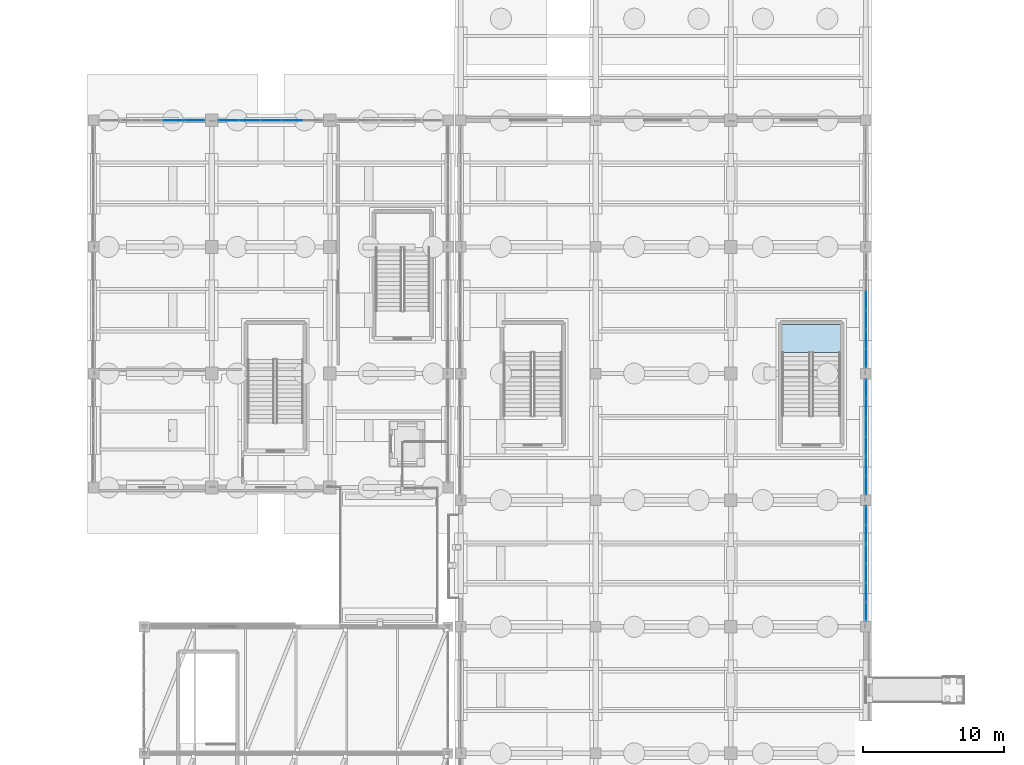
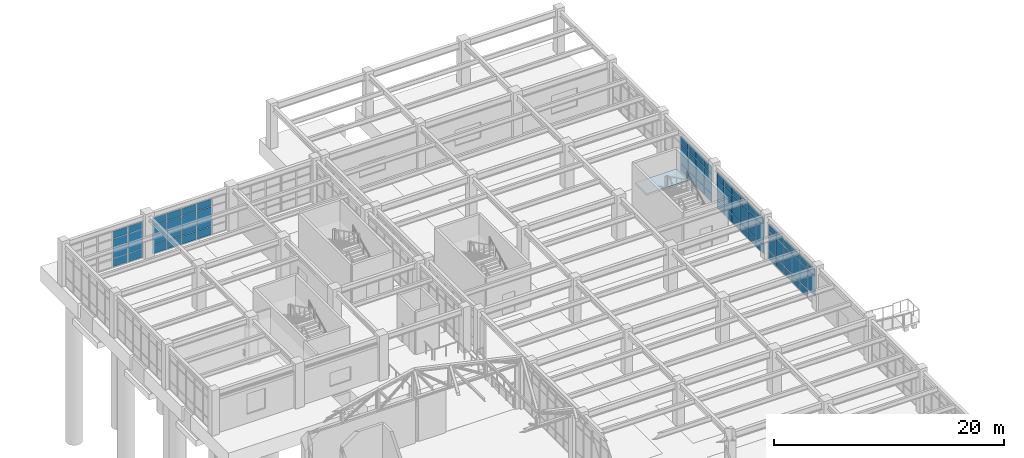
# One storey, part 103 of 139: 65 plates, 1 slab, 6 elements without a shape of their own.
"""IFC4 building model written with IfcOpenShell, lengths in metres."""

from ifc_helpers import new_model, si_unit, direction, frame, origin, origin_2d, place, context, subcontext, project, spatial, polyline, rectangle, outline, extrude, material, layer, layer_set, type_object, element, aggregate, save


model = new_model("IFC4")

# Units and contexts
model_context = context("Model", 3, precision=1e-05, world=origin(), true_north=direction((0.0, 1.0)))
body_context = subcontext(model_context, "Body", "Model", "MODEL_VIEW")
ifc_project = project(units=[si_unit("LENGTHUNIT", "METRE"), si_unit("AREAUNIT", "SQUARE_METRE"), si_unit("VOLUMEUNIT", "CUBIC_METRE"), si_unit("PLANEANGLEUNIT", "RADIAN"), si_unit("MASSUNIT", "GRAM", prefix="KILO")], contexts=[model_context])

# Site, building, storey
site_placement = place(None, origin())
site = spatial("IfcSite", under=ifc_project, at=site_placement, CompositionType="ELEMENT")
building_placement = place(site_placement, origin())
building = spatial("IfcBuilding", under=site, at=building_placement, Name="Canglan Escarpment Cableway Terminal", CompositionType="ELEMENT")
storey_placement = place(building_placement, frame((0.0, 0.0, 14.39990234375)))
storey = spatial("IfcBuildingStorey", under=building, at=storey_placement, Name="L03", CompositionType="ELEMENT", Elevation=14.39990234375)

# Curtain wall, plates
ifc_material_1 = material(Name="Anodized bronze aluminium and Low-E double glazing", Category="aluminium")
curtain_wall_type_1 = type_object("IfcCurtainWallType", Name="CW-BAY-7500x3900", PredefinedType="NOTDEFINED", material=ifc_material_1)
curtain_wall_1_placement = place(storey_placement, origin())
curtain_wall_1 = element("IfcCurtainWall", 1, at=curtain_wall_1_placement, inside=storey, type_object=curtain_wall_type_1, Name="Classical bay-between-piers glazed curtain wall CW-50", PredefinedType="NOTDEFINED")
ifc_material_2 = material(Name="Double-silver Low-E laminated insulating glass", Category="glass")
ifc_layer_1 = layer(ifc_material_2, 0.02392578125, Name="Double-silver Low-E laminated insulating glass")
ifc_layer_set_1 = layer_set([ifc_layer_1], Name="Double-silver Low-E laminated insulating glass")
plate_type_1 = type_object("IfcPlateType", Name="CWP-01", PredefinedType="CURTAIN_PANEL", material=ifc_layer_set_1)
plate_1_placement = place(storey_placement, frame((125.60009765625, 115.0, 0.05517578125), z_axis=(0.0, 0.0, 1.0), x_axis=(-1.0, 0.0, 0.0)))
plate_1 = element("IfcPlate", 2, at=plate_1_placement, type_object=plate_type_1, Name="CW-50 panel 2.1", PredefinedType="CURTAIN_PANEL", context=body_context, shape_type="SweptSolid", body=[
    extrude(rectangle(XDim=1.43994140625, YDim=0.02392578125, at=origin_2d()), origin(), (0.0, 0.0, 1.0), 0.867431640625),
])
plate_2_placement = place(storey_placement, frame((125.60009765625, 115.0, 0.9775390625), z_axis=(0.0, 0.0, 1.0), x_axis=(-1.0, 0.0, 0.0)))
plate_2 = element("IfcPlate", 3, at=plate_2_placement, type_object=plate_type_1, Name="CW-50 panel 2.2", PredefinedType="CURTAIN_PANEL", context=body_context, shape_type="SweptSolid", body=[
    extrude(rectangle(XDim=1.43994140625, YDim=0.02392578125, at=origin_2d()), origin(), (0.0, 0.0, 1.0), 2.035888671875),
])
plate_3_placement = place(storey_placement, frame((125.60009765625, 115.0, 3.068603515625), z_axis=(0.0, 0.0, 1.0), x_axis=(-1.0, 0.0, 0.0)))
plate_3 = element("IfcPlate", 4, at=plate_3_placement, type_object=plate_type_1, Name="CW-50 panel 2.3", PredefinedType="CURTAIN_PANEL", context=body_context, shape_type="SweptSolid", body=[
    extrude(rectangle(XDim=1.43994140625, YDim=0.02392578125, at=origin_2d()), origin(), (0.0, 0.0, 1.0), 0.767578125),
])
plate_4_placement = place(storey_placement, frame((124.10009765625, 115.0, 0.05517578125), z_axis=(0.0, 0.0, 1.0), x_axis=(-1.0, 0.0, 0.0)))
plate_4 = element("IfcPlate", 5, at=plate_4_placement, type_object=plate_type_1, Name="CW-50 panel 3.1", PredefinedType="CURTAIN_PANEL", context=body_context, shape_type="SweptSolid", body=[
    extrude(rectangle(XDim=1.43994140625, YDim=0.02392578125, at=origin_2d()), origin(), (0.0, 0.0, 1.0), 0.867431640625),
])
plate_5_placement = place(storey_placement, frame((124.10009765625, 115.0, 0.9775390625), z_axis=(0.0, 0.0, 1.0), x_axis=(-1.0, 0.0, 0.0)))
plate_5 = element("IfcPlate", 6, at=plate_5_placement, type_object=plate_type_1, Name="CW-50 panel 3.2", PredefinedType="CURTAIN_PANEL", context=body_context, shape_type="SweptSolid", body=[
    extrude(rectangle(XDim=1.43994140625, YDim=0.02392578125, at=origin_2d()), origin(), (0.0, 0.0, 1.0), 2.035888671875),
])
plate_6_placement = place(storey_placement, frame((124.10009765625, 115.0, 3.068603515625), z_axis=(0.0, 0.0, 1.0), x_axis=(-1.0, 0.0, 0.0)))
plate_6 = element("IfcPlate", 7, at=plate_6_placement, type_object=plate_type_1, Name="CW-50 panel 3.3", PredefinedType="CURTAIN_PANEL", context=body_context, shape_type="SweptSolid", body=[
    extrude(rectangle(XDim=1.43994140625, YDim=0.02392578125, at=origin_2d()), origin(), (0.0, 0.0, 1.0), 0.767578125),
])
plate_7_placement = place(storey_placement, frame((122.60009765625, 115.0, 0.05517578125), z_axis=(0.0, 0.0, 1.0), x_axis=(-1.0, 0.0, 0.0)))
plate_7 = element("IfcPlate", 8, at=plate_7_placement, type_object=plate_type_1, Name="CW-50 panel 4.1", PredefinedType="CURTAIN_PANEL", context=body_context, shape_type="SweptSolid", body=[
    extrude(rectangle(XDim=1.43994140625, YDim=0.02392578125, at=origin_2d()), origin(), (0.0, 0.0, 1.0), 0.867431640625),
])
plate_8_placement = place(storey_placement, frame((122.60009765625, 115.0, 0.9775390625), z_axis=(0.0, 0.0, 1.0), x_axis=(-1.0, 0.0, 0.0)))
plate_8 = element("IfcPlate", 9, at=plate_8_placement, type_object=plate_type_1, Name="CW-50 panel 4.2", PredefinedType="CURTAIN_PANEL", context=body_context, shape_type="SweptSolid", body=[
    extrude(rectangle(XDim=1.43994140625, YDim=0.02392578125, at=origin_2d()), origin(), (0.0, 0.0, 1.0), 2.035888671875),
])
plate_9_placement = place(storey_placement, frame((122.60009765625, 115.0, 3.068603515625), z_axis=(0.0, 0.0, 1.0), x_axis=(-1.0, 0.0, 0.0)))
plate_9 = element("IfcPlate", 10, at=plate_9_placement, type_object=plate_type_1, Name="CW-50 panel 4.3", PredefinedType="CURTAIN_PANEL", context=body_context, shape_type="SweptSolid", body=[
    extrude(rectangle(XDim=1.43994140625, YDim=0.02392578125, at=origin_2d()), origin(), (0.0, 0.0, 1.0), 0.767578125),
])
plate_10_placement = place(storey_placement, frame((121.114990234375, 115.0, 0.05517578125), z_axis=(0.0, 0.0, 1.0), x_axis=(-1.0, 0.0, 0.0)))
plate_10 = element("IfcPlate", 11, at=plate_10_placement, type_object=plate_type_1, Name="CW-50 panel 5.1", PredefinedType="CURTAIN_PANEL", context=body_context, shape_type="SweptSolid", body=[
    extrude(rectangle(XDim=1.409912109375, YDim=0.02392578125, at=origin_2d()), origin(), (0.0, 0.0, 1.0), 0.867431640625),
])
plate_11_placement = place(storey_placement, frame((121.114990234375, 115.0, 0.9775390625), z_axis=(0.0, 0.0, 1.0), x_axis=(-1.0, 0.0, 0.0)))
plate_11 = element("IfcPlate", 12, at=plate_11_placement, type_object=plate_type_1, Name="CW-50 panel 5.2", PredefinedType="CURTAIN_PANEL", context=body_context, shape_type="SweptSolid", body=[
    extrude(rectangle(XDim=1.409912109375, YDim=0.02392578125, at=origin_2d()), origin(), (0.0, 0.0, 1.0), 2.035888671875),
])
plate_12_placement = place(storey_placement, frame((121.114990234375, 115.0, 3.068603515625), z_axis=(0.0, 0.0, 1.0), x_axis=(-1.0, 0.0, 0.0)))
plate_12 = element("IfcPlate", 13, at=plate_12_placement, type_object=plate_type_1, Name="CW-50 panel 5.3", PredefinedType="CURTAIN_PANEL", context=body_context, shape_type="SweptSolid", body=[
    extrude(rectangle(XDim=1.409912109375, YDim=0.02392578125, at=origin_2d()), origin(), (0.0, 0.0, 1.0), 0.767578125),
])
aggregate(curtain_wall_1, [plate_1, plate_2, plate_3, plate_4, plate_5, plate_6, plate_7, plate_8, plate_9, plate_10, plate_11, plate_12])

curtain_wall_type_2 = type_object("IfcCurtainWallType", Name="CW-BAY-8250x3900", PredefinedType="NOTDEFINED", material=ifc_material_1)
curtain_wall_2_placement = place(storey_placement, origin())
curtain_wall_2 = element("IfcCurtainWall", 14, at=curtain_wall_2_placement, inside=storey, type_object=curtain_wall_type_2, Name="Classical bay-between-piers glazed curtain wall CW-62", PredefinedType="NOTDEFINED")
ifc_layer_2 = layer(ifc_material_2, 0.028076171875, Name="Double-silver Low-E laminated insulating glass")
ifc_layer_set_2 = layer_set([ifc_layer_2], Name="Double-silver Low-E laminated insulating glass")
plate_type_2 = type_object("IfcPlateType", Name="CWP-02", PredefinedType="CURTAIN_PANEL", material=ifc_layer_set_2)
plate_13_placement = place(storey_placement, frame((166.39990234375, 80.078857421875, 0.982666015625), z_axis=(0.0, 0.0, 1.0), x_axis=(0.0, 1.0, 0.0)))
plate_13 = element("IfcPlate", 15, at=plate_13_placement, type_object=plate_type_2, Name="CW-62 panel 1.2", PredefinedType="CURTAIN_PANEL", context=body_context, shape_type="SweptSolid", body=[
    extrude(rectangle(XDim=1.277587890625, YDim=0.028076171875, at=origin_2d()), origin(), (0.0, 0.0, 1.0), 2.02587890625),
])
plate_14_placement = place(storey_placement, frame((166.39990234375, 80.078857421875, 3.07373046875), z_axis=(0.0, 0.0, 1.0), x_axis=(0.0, 1.0, 0.0)))
plate_14 = element("IfcPlate", 16, at=plate_14_placement, type_object=plate_type_2, Name="CW-62 panel 1.3", PredefinedType="CURTAIN_PANEL", context=body_context, shape_type="SweptSolid", body=[
    extrude(rectangle(XDim=1.277587890625, YDim=0.028076171875, at=origin_2d()), origin(), (0.0, 0.0, 1.0), 0.75244140625),
])
plate_15_placement = place(storey_placement, frame((166.39990234375, 81.4375, 0.065185546875), z_axis=(0.0, 0.0, 1.0), x_axis=(0.0, 1.0, 0.0)))
plate_15 = element("IfcPlate", 17, at=plate_15_placement, type_object=plate_type_2, Name="CW-62 panel 2.1", PredefinedType="CURTAIN_PANEL", context=body_context, shape_type="SweptSolid", body=[
    extrude(rectangle(XDim=1.31005859375, YDim=0.028076171875, at=origin_2d()), origin(), (0.0, 0.0, 1.0), 0.8525390625),
])
plate_16_placement = place(storey_placement, frame((166.39990234375, 81.4375, 0.982666015625), z_axis=(0.0, 0.0, 1.0), x_axis=(0.0, 1.0, 0.0)))
plate_16 = element("IfcPlate", 18, at=plate_16_placement, type_object=plate_type_2, Name="CW-62 panel 2.2", PredefinedType="CURTAIN_PANEL", context=body_context, shape_type="SweptSolid", body=[
    extrude(rectangle(XDim=1.31005859375, YDim=0.028076171875, at=origin_2d()), origin(), (0.0, 0.0, 1.0), 2.02587890625),
])
plate_17_placement = place(storey_placement, frame((166.39990234375, 81.4375, 3.07373046875), z_axis=(0.0, 0.0, 1.0), x_axis=(0.0, 1.0, 0.0)))
plate_17 = element("IfcPlate", 19, at=plate_17_placement, type_object=plate_type_2, Name="CW-62 panel 2.3", PredefinedType="CURTAIN_PANEL", context=body_context, shape_type="SweptSolid", body=[
    extrude(rectangle(XDim=1.31005859375, YDim=0.028076171875, at=origin_2d()), origin(), (0.0, 0.0, 1.0), 0.75244140625),
])
plate_18_placement = place(storey_placement, frame((166.39990234375, 82.8125, 0.065185546875), z_axis=(0.0, 0.0, 1.0), x_axis=(0.0, 1.0, 0.0)))
plate_18 = element("IfcPlate", 20, at=plate_18_placement, type_object=plate_type_2, Name="CW-62 panel 3.1", PredefinedType="CURTAIN_PANEL", context=body_context, shape_type="SweptSolid", body=[
    extrude(rectangle(XDim=1.31005859375, YDim=0.028076171875, at=origin_2d()), origin(), (0.0, 0.0, 1.0), 0.8525390625),
])
plate_19_placement = place(storey_placement, frame((166.39990234375, 82.8125, 0.982666015625), z_axis=(0.0, 0.0, 1.0), x_axis=(0.0, 1.0, 0.0)))
plate_19 = element("IfcPlate", 21, at=plate_19_placement, type_object=plate_type_2, Name="CW-62 panel 3.2", PredefinedType="CURTAIN_PANEL", context=body_context, shape_type="SweptSolid", body=[
    extrude(rectangle(XDim=1.31005859375, YDim=0.028076171875, at=origin_2d()), origin(), (0.0, 0.0, 1.0), 2.02587890625),
])
plate_20_placement = place(storey_placement, frame((166.39990234375, 82.8125, 3.07373046875), z_axis=(0.0, 0.0, 1.0), x_axis=(0.0, 1.0, 0.0)))
plate_20 = element("IfcPlate", 22, at=plate_20_placement, type_object=plate_type_2, Name="CW-62 panel 3.3", PredefinedType="CURTAIN_PANEL", context=body_context, shape_type="SweptSolid", body=[
    extrude(rectangle(XDim=1.31005859375, YDim=0.028076171875, at=origin_2d()), origin(), (0.0, 0.0, 1.0), 0.75244140625),
])
plate_21_placement = place(storey_placement, frame((166.39990234375, 84.1875, 0.065185546875), z_axis=(0.0, 0.0, 1.0), x_axis=(0.0, 1.0, 0.0)))
plate_21 = element("IfcPlate", 23, at=plate_21_placement, type_object=plate_type_2, Name="CW-62 panel 4.1", PredefinedType="CURTAIN_PANEL", context=body_context, shape_type="SweptSolid", body=[
    extrude(rectangle(XDim=1.31005859375, YDim=0.028076171875, at=origin_2d()), origin(), (0.0, 0.0, 1.0), 0.8525390625),
])
plate_22_placement = place(storey_placement, frame((166.39990234375, 84.1875, 0.982666015625), z_axis=(0.0, 0.0, 1.0), x_axis=(0.0, 1.0, 0.0)))
plate_22 = element("IfcPlate", 24, at=plate_22_placement, type_object=plate_type_2, Name="CW-62 panel 4.2", PredefinedType="CURTAIN_PANEL", context=body_context, shape_type="SweptSolid", body=[
    extrude(rectangle(XDim=1.31005859375, YDim=0.028076171875, at=origin_2d()), origin(), (0.0, 0.0, 1.0), 2.02587890625),
])
plate_23_placement = place(storey_placement, frame((166.39990234375, 84.1875, 3.07373046875), z_axis=(0.0, 0.0, 1.0), x_axis=(0.0, 1.0, 0.0)))
plate_23 = element("IfcPlate", 25, at=plate_23_placement, type_object=plate_type_2, Name="CW-62 panel 4.3", PredefinedType="CURTAIN_PANEL", context=body_context, shape_type="SweptSolid", body=[
    extrude(rectangle(XDim=1.31005859375, YDim=0.028076171875, at=origin_2d()), origin(), (0.0, 0.0, 1.0), 0.75244140625),
])
plate_24_placement = place(storey_placement, frame((166.39990234375, 85.5625, 0.065185546875), z_axis=(0.0, 0.0, 1.0), x_axis=(0.0, 1.0, 0.0)))
plate_24 = element("IfcPlate", 26, at=plate_24_placement, type_object=plate_type_2, Name="CW-62 panel 5.1", PredefinedType="CURTAIN_PANEL", context=body_context, shape_type="SweptSolid", body=[
    extrude(rectangle(XDim=1.31005859375, YDim=0.028076171875, at=origin_2d()), origin(), (0.0, 0.0, 1.0), 0.8525390625),
])
plate_25_placement = place(storey_placement, frame((166.39990234375, 85.5625, 0.982666015625), z_axis=(0.0, 0.0, 1.0), x_axis=(0.0, 1.0, 0.0)))
plate_25 = element("IfcPlate", 27, at=plate_25_placement, type_object=plate_type_2, Name="CW-62 panel 5.2", PredefinedType="CURTAIN_PANEL", context=body_context, shape_type="SweptSolid", body=[
    extrude(rectangle(XDim=1.31005859375, YDim=0.028076171875, at=origin_2d()), origin(), (0.0, 0.0, 1.0), 2.02587890625),
])
plate_26_placement = place(storey_placement, frame((166.39990234375, 85.5625, 3.07373046875), z_axis=(0.0, 0.0, 1.0), x_axis=(0.0, 1.0, 0.0)))
plate_26 = element("IfcPlate", 28, at=plate_26_placement, type_object=plate_type_2, Name="CW-62 panel 5.3", PredefinedType="CURTAIN_PANEL", context=body_context, shape_type="SweptSolid", body=[
    extrude(rectangle(XDim=1.31005859375, YDim=0.028076171875, at=origin_2d()), origin(), (0.0, 0.0, 1.0), 0.75244140625),
])
plate_27_placement = place(storey_placement, frame((166.39990234375, 86.921142578125, 0.065185546875), z_axis=(0.0, 0.0, 1.0), x_axis=(0.0, 1.0, 0.0)))
plate_27 = element("IfcPlate", 29, at=plate_27_placement, type_object=plate_type_2, Name="CW-62 panel 6.1", PredefinedType="CURTAIN_PANEL", context=body_context, shape_type="SweptSolid", body=[
    extrude(rectangle(XDim=1.277587890625, YDim=0.028076171875, at=origin_2d()), origin(), (0.0, 0.0, 1.0), 0.8525390625),
])
plate_28_placement = place(storey_placement, frame((166.39990234375, 86.921142578125, 0.982666015625), z_axis=(0.0, 0.0, 1.0), x_axis=(0.0, 1.0, 0.0)))
plate_28 = element("IfcPlate", 30, at=plate_28_placement, type_object=plate_type_2, Name="CW-62 panel 6.2", PredefinedType="CURTAIN_PANEL", context=body_context, shape_type="SweptSolid", body=[
    extrude(rectangle(XDim=1.277587890625, YDim=0.028076171875, at=origin_2d()), origin(), (0.0, 0.0, 1.0), 2.02587890625),
])
plate_29_placement = place(storey_placement, frame((166.39990234375, 86.921142578125, 3.07373046875), z_axis=(0.0, 0.0, 1.0), x_axis=(0.0, 1.0, 0.0)))
plate_29 = element("IfcPlate", 31, at=plate_29_placement, type_object=plate_type_2, Name="CW-62 panel 6.3", PredefinedType="CURTAIN_PANEL", context=body_context, shape_type="SweptSolid", body=[
    extrude(rectangle(XDim=1.277587890625, YDim=0.028076171875, at=origin_2d()), origin(), (0.0, 0.0, 1.0), 0.75244140625),
])
aggregate(curtain_wall_2, [plate_13, plate_14, plate_15, plate_16, plate_17, plate_18, plate_19, plate_20, plate_21, plate_22, plate_23, plate_24, plate_25, plate_26, plate_27, plate_28, plate_29])

curtain_wall_3_placement = place(storey_placement, origin())
curtain_wall_3 = element("IfcCurtainWall", 32, at=curtain_wall_3_placement, inside=storey, type_object=curtain_wall_type_2, Name="Classical bay-between-piers glazed curtain wall CW-62", PredefinedType="NOTDEFINED")
ifc_layer_3 = layer(ifc_material_2, 0.031982421875, Name="Double-silver Low-E laminated insulating glass")
ifc_layer_set_3 = layer_set([ifc_layer_3], Name="Double-silver Low-E laminated insulating glass")
plate_type_3 = type_object("IfcPlateType", Name="CWP-03", PredefinedType="CURTAIN_PANEL", material=ifc_layer_set_3)
plate_30_placement = place(storey_placement, frame((166.39990234375, 89.077392578125, 0.05517578125), z_axis=(0.0, 0.0, 1.0), x_axis=(0.0, 1.0, 0.0)))
plate_30 = element("IfcPlate", 33, at=plate_30_placement, type_object=plate_type_3, Name="CW-62 panel 1.1", PredefinedType="CURTAIN_PANEL", context=body_context, shape_type="SweptSolid", body=[
    extrude(rectangle(XDim=1.284912109375, YDim=0.031982421875, at=origin_2d()), origin(), (0.0, 0.0, 1.0), 0.867431640625),
])
plate_31_placement = place(storey_placement, frame((166.39990234375, 89.077392578125, 0.9775390625), z_axis=(0.0, 0.0, 1.0), x_axis=(0.0, 1.0, 0.0)))
plate_31 = element("IfcPlate", 34, at=plate_31_placement, type_object=plate_type_3, Name="CW-62 panel 1.2", PredefinedType="CURTAIN_PANEL", context=body_context, shape_type="SweptSolid", body=[
    extrude(rectangle(XDim=1.284912109375, YDim=0.031982421875, at=origin_2d()), origin(), (0.0, 0.0, 1.0), 2.035888671875),
])
plate_32_placement = place(storey_placement, frame((166.39990234375, 89.077392578125, 3.068603515625), z_axis=(0.0, 0.0, 1.0), x_axis=(0.0, 1.0, 0.0)))
plate_32 = element("IfcPlate", 35, at=plate_32_placement, type_object=plate_type_3, Name="CW-62 panel 1.3", PredefinedType="CURTAIN_PANEL", context=body_context, shape_type="SweptSolid", body=[
    extrude(rectangle(XDim=1.284912109375, YDim=0.031982421875, at=origin_2d()), origin(), (0.0, 0.0, 1.0), 0.767578125),
])
plate_33_placement = place(storey_placement, frame((166.39990234375, 90.4375, 0.05517578125), z_axis=(0.0, 0.0, 1.0), x_axis=(0.0, 1.0, 0.0)))
plate_33 = element("IfcPlate", 36, at=plate_33_placement, type_object=plate_type_3, Name="CW-62 panel 2.1", PredefinedType="CURTAIN_PANEL", context=body_context, shape_type="SweptSolid", body=[
    extrude(rectangle(XDim=1.31494140625, YDim=0.031982421875, at=origin_2d()), origin(), (0.0, 0.0, 1.0), 0.867431640625),
])
plate_34_placement = place(storey_placement, frame((166.39990234375, 90.4375, 0.9775390625), z_axis=(0.0, 0.0, 1.0), x_axis=(0.0, 1.0, 0.0)))
plate_34 = element("IfcPlate", 37, at=plate_34_placement, type_object=plate_type_3, Name="CW-62 panel 2.2", PredefinedType="CURTAIN_PANEL", context=body_context, shape_type="SweptSolid", body=[
    extrude(rectangle(XDim=1.31494140625, YDim=0.031982421875, at=origin_2d()), origin(), (0.0, 0.0, 1.0), 2.035888671875),
])
plate_35_placement = place(storey_placement, frame((166.39990234375, 90.4375, 3.068603515625), z_axis=(0.0, 0.0, 1.0), x_axis=(0.0, 1.0, 0.0)))
plate_35 = element("IfcPlate", 38, at=plate_35_placement, type_object=plate_type_3, Name="CW-62 panel 2.3", PredefinedType="CURTAIN_PANEL", context=body_context, shape_type="SweptSolid", body=[
    extrude(rectangle(XDim=1.31494140625, YDim=0.031982421875, at=origin_2d()), origin(), (0.0, 0.0, 1.0), 0.767578125),
])
plate_36_placement = place(storey_placement, frame((166.39990234375, 91.8125, 0.05517578125), z_axis=(0.0, 0.0, 1.0), x_axis=(0.0, 1.0, 0.0)))
plate_36 = element("IfcPlate", 39, at=plate_36_placement, type_object=plate_type_3, Name="CW-62 panel 3.1", PredefinedType="CURTAIN_PANEL", context=body_context, shape_type="SweptSolid", body=[
    extrude(rectangle(XDim=1.31494140625, YDim=0.031982421875, at=origin_2d()), origin(), (0.0, 0.0, 1.0), 0.867431640625),
])
plate_37_placement = place(storey_placement, frame((166.39990234375, 91.8125, 0.9775390625), z_axis=(0.0, 0.0, 1.0), x_axis=(0.0, 1.0, 0.0)))
plate_37 = element("IfcPlate", 40, at=plate_37_placement, type_object=plate_type_3, Name="CW-62 panel 3.2", PredefinedType="CURTAIN_PANEL", context=body_context, shape_type="SweptSolid", body=[
    extrude(rectangle(XDim=1.31494140625, YDim=0.031982421875, at=origin_2d()), origin(), (0.0, 0.0, 1.0), 2.035888671875),
])
plate_38_placement = place(storey_placement, frame((166.39990234375, 91.8125, 3.068603515625), z_axis=(0.0, 0.0, 1.0), x_axis=(0.0, 1.0, 0.0)))
plate_38 = element("IfcPlate", 41, at=plate_38_placement, type_object=plate_type_3, Name="CW-62 panel 3.3", PredefinedType="CURTAIN_PANEL", context=body_context, shape_type="SweptSolid", body=[
    extrude(rectangle(XDim=1.31494140625, YDim=0.031982421875, at=origin_2d()), origin(), (0.0, 0.0, 1.0), 0.767578125),
])
plate_39_placement = place(storey_placement, frame((166.39990234375, 93.1875, 0.05517578125), z_axis=(0.0, 0.0, 1.0), x_axis=(0.0, 1.0, 0.0)))
plate_39 = element("IfcPlate", 42, at=plate_39_placement, type_object=plate_type_3, Name="CW-62 panel 4.1", PredefinedType="CURTAIN_PANEL", context=body_context, shape_type="SweptSolid", body=[
    extrude(rectangle(XDim=1.31494140625, YDim=0.031982421875, at=origin_2d()), origin(), (0.0, 0.0, 1.0), 0.867431640625),
])
plate_40_placement = place(storey_placement, frame((166.39990234375, 93.1875, 0.9775390625), z_axis=(0.0, 0.0, 1.0), x_axis=(0.0, 1.0, 0.0)))
plate_40 = element("IfcPlate", 43, at=plate_40_placement, type_object=plate_type_3, Name="CW-62 panel 4.2", PredefinedType="CURTAIN_PANEL", context=body_context, shape_type="SweptSolid", body=[
    extrude(rectangle(XDim=1.31494140625, YDim=0.031982421875, at=origin_2d()), origin(), (0.0, 0.0, 1.0), 2.035888671875),
])
plate_41_placement = place(storey_placement, frame((166.39990234375, 93.1875, 3.068603515625), z_axis=(0.0, 0.0, 1.0), x_axis=(0.0, 1.0, 0.0)))
plate_41 = element("IfcPlate", 44, at=plate_41_placement, type_object=plate_type_3, Name="CW-62 panel 4.3", PredefinedType="CURTAIN_PANEL", context=body_context, shape_type="SweptSolid", body=[
    extrude(rectangle(XDim=1.31494140625, YDim=0.031982421875, at=origin_2d()), origin(), (0.0, 0.0, 1.0), 0.767578125),
])
plate_42_placement = place(storey_placement, frame((166.39990234375, 94.5625, 0.05517578125), z_axis=(0.0, 0.0, 1.0), x_axis=(0.0, 1.0, 0.0)))
plate_42 = element("IfcPlate", 45, at=plate_42_placement, type_object=plate_type_3, Name="CW-62 panel 5.1", PredefinedType="CURTAIN_PANEL", context=body_context, shape_type="SweptSolid", body=[
    extrude(rectangle(XDim=1.31494140625, YDim=0.031982421875, at=origin_2d()), origin(), (0.0, 0.0, 1.0), 0.867431640625),
])
plate_43_placement = place(storey_placement, frame((166.39990234375, 94.5625, 0.9775390625), z_axis=(0.0, 0.0, 1.0), x_axis=(0.0, 1.0, 0.0)))
plate_43 = element("IfcPlate", 46, at=plate_43_placement, type_object=plate_type_3, Name="CW-62 panel 5.2", PredefinedType="CURTAIN_PANEL", context=body_context, shape_type="SweptSolid", body=[
    extrude(rectangle(XDim=1.31494140625, YDim=0.031982421875, at=origin_2d()), origin(), (0.0, 0.0, 1.0), 2.035888671875),
])
plate_44_placement = place(storey_placement, frame((166.39990234375, 94.5625, 3.068603515625), z_axis=(0.0, 0.0, 1.0), x_axis=(0.0, 1.0, 0.0)))
plate_44 = element("IfcPlate", 47, at=plate_44_placement, type_object=plate_type_3, Name="CW-62 panel 5.3", PredefinedType="CURTAIN_PANEL", context=body_context, shape_type="SweptSolid", body=[
    extrude(rectangle(XDim=1.31494140625, YDim=0.031982421875, at=origin_2d()), origin(), (0.0, 0.0, 1.0), 0.767578125),
])
plate_45_placement = place(storey_placement, frame((166.39990234375, 95.922607421875, 0.05517578125), z_axis=(0.0, 0.0, 1.0), x_axis=(0.0, 1.0, 0.0)))
plate_45 = element("IfcPlate", 48, at=plate_45_placement, type_object=plate_type_3, Name="CW-62 panel 6.1", PredefinedType="CURTAIN_PANEL", context=body_context, shape_type="SweptSolid", body=[
    extrude(rectangle(XDim=1.284912109375, YDim=0.031982421875, at=origin_2d()), origin(), (0.0, 0.0, 1.0), 0.867431640625),
])
plate_46_placement = place(storey_placement, frame((166.39990234375, 95.922607421875, 0.9775390625), z_axis=(0.0, 0.0, 1.0), x_axis=(0.0, 1.0, 0.0)))
plate_46 = element("IfcPlate", 49, at=plate_46_placement, type_object=plate_type_3, Name="CW-62 panel 6.2", PredefinedType="CURTAIN_PANEL", context=body_context, shape_type="SweptSolid", body=[
    extrude(rectangle(XDim=1.284912109375, YDim=0.031982421875, at=origin_2d()), origin(), (0.0, 0.0, 1.0), 2.035888671875),
])
plate_47_placement = place(storey_placement, frame((166.39990234375, 95.922607421875, 3.068603515625), z_axis=(0.0, 0.0, 1.0), x_axis=(0.0, 1.0, 0.0)))
plate_47 = element("IfcPlate", 50, at=plate_47_placement, type_object=plate_type_3, Name="CW-62 panel 6.3", PredefinedType="CURTAIN_PANEL", context=body_context, shape_type="SweptSolid", body=[
    extrude(rectangle(XDim=1.284912109375, YDim=0.031982421875, at=origin_2d()), origin(), (0.0, 0.0, 1.0), 0.767578125),
])
aggregate(curtain_wall_3, [plate_30, plate_31, plate_32, plate_33, plate_34, plate_35, plate_36, plate_37, plate_38, plate_39, plate_40, plate_41, plate_42, plate_43, plate_44, plate_45, plate_46, plate_47])

curtain_wall_type_3 = type_object("IfcCurtainWallType", Name="CW-BAY-7575x3900", PredefinedType="NOTDEFINED", material=ifc_material_1)
curtain_wall_4_placement = place(storey_placement, origin())
curtain_wall_4 = element("IfcCurtainWall", 51, at=curtain_wall_4_placement, inside=storey, type_object=curtain_wall_type_3, Name="Classical bay-between-piers glazed curtain wall CW-49", PredefinedType="NOTDEFINED")
ifc_layer_4 = layer(ifc_material_2, 0.035888671875, Name="Double-silver Low-E laminated insulating glass")
ifc_layer_set_4 = layer_set([ifc_layer_4], Name="Double-silver Low-E laminated insulating glass")
plate_type_4 = type_object("IfcPlateType", Name="CWP-04", PredefinedType="CURTAIN_PANEL", material=ifc_layer_set_4)
plate_48_placement = place(storey_placement, frame((118.67626953125, 115.0, 0.065185546875), z_axis=(0.0, 0.0, 1.0), x_axis=(-1.0, 0.0, 0.0)))
plate_48 = element("IfcPlate", 52, at=plate_48_placement, type_object=plate_type_4, Name="CW-49 panel 1.1", PredefinedType="CURTAIN_PANEL", context=body_context, shape_type="SweptSolid", body=[
    extrude(rectangle(XDim=1.41748046875, YDim=0.035888671875, at=origin_2d()), origin(), (0.0, 0.0, 1.0), 0.8525390625),
])
plate_49_placement = place(storey_placement, frame((118.67626953125, 115.0, 0.982666015625), z_axis=(0.0, 0.0, 1.0), x_axis=(-1.0, 0.0, 0.0)))
plate_49 = element("IfcPlate", 53, at=plate_49_placement, type_object=plate_type_4, Name="CW-49 panel 1.2", PredefinedType="CURTAIN_PANEL", context=body_context, shape_type="SweptSolid", body=[
    extrude(rectangle(XDim=1.41748046875, YDim=0.035888671875, at=origin_2d()), origin(), (0.0, 0.0, 1.0), 2.02587890625),
])
plate_50_placement = place(storey_placement, frame((118.67626953125, 115.0, 3.07373046875), z_axis=(0.0, 0.0, 1.0), x_axis=(-1.0, 0.0, 0.0)))
plate_50 = element("IfcPlate", 54, at=plate_50_placement, type_object=plate_type_4, Name="CW-49 panel 1.3", PredefinedType="CURTAIN_PANEL", context=body_context, shape_type="SweptSolid", body=[
    extrude(rectangle(XDim=1.41748046875, YDim=0.035888671875, at=origin_2d()), origin(), (0.0, 0.0, 1.0), 0.75244140625),
])
plate_51_placement = place(storey_placement, frame((117.177490234375, 115.0, 0.065185546875), z_axis=(0.0, 0.0, 1.0), x_axis=(-1.0, 0.0, 0.0)))
plate_51 = element("IfcPlate", 55, at=plate_51_placement, type_object=plate_type_4, Name="CW-49 panel 2.1", PredefinedType="CURTAIN_PANEL", context=body_context, shape_type="SweptSolid", body=[
    extrude(rectangle(XDim=1.449951171875, YDim=0.035888671875, at=origin_2d()), origin(), (0.0, 0.0, 1.0), 0.8525390625),
])
plate_52_placement = place(storey_placement, frame((117.177490234375, 115.0, 0.982666015625), z_axis=(0.0, 0.0, 1.0), x_axis=(-1.0, 0.0, 0.0)))
plate_52 = element("IfcPlate", 56, at=plate_52_placement, type_object=plate_type_4, Name="CW-49 panel 2.2", PredefinedType="CURTAIN_PANEL", context=body_context, shape_type="SweptSolid", body=[
    extrude(rectangle(XDim=1.449951171875, YDim=0.035888671875, at=origin_2d()), origin(), (0.0, 0.0, 1.0), 2.02587890625),
])
plate_53_placement = place(storey_placement, frame((117.177490234375, 115.0, 3.07373046875), z_axis=(0.0, 0.0, 1.0), x_axis=(-1.0, 0.0, 0.0)))
plate_53 = element("IfcPlate", 57, at=plate_53_placement, type_object=plate_type_4, Name="CW-49 panel 2.3", PredefinedType="CURTAIN_PANEL", context=body_context, shape_type="SweptSolid", body=[
    extrude(rectangle(XDim=1.449951171875, YDim=0.035888671875, at=origin_2d()), origin(), (0.0, 0.0, 1.0), 0.75244140625),
])
aggregate(curtain_wall_4, [plate_48, plate_49, plate_50, plate_51, plate_52, plate_53])

curtain_wall_5_placement = place(storey_placement, origin())
curtain_wall_5 = element("IfcCurtainWall", 58, at=curtain_wall_5_placement, inside=storey, type_object=curtain_wall_type_2, Name="Classical bay-between-piers glazed curtain wall CW-62", PredefinedType="NOTDEFINED")
plate_54_placement = place(storey_placement, frame((166.39990234375, 98.078857421875, 0.06005859375), z_axis=(0.0, 0.0, 1.0), x_axis=(0.0, 1.0, 0.0)))
plate_54 = element("IfcPlate", 59, at=plate_54_placement, type_object=plate_type_4, Name="CW-62 panel 1.1", PredefinedType="CURTAIN_PANEL", context=body_context, shape_type="SweptSolid", body=[
    extrude(rectangle(XDim=1.277587890625, YDim=0.035888671875, at=origin_2d()), origin(), (0.0, 0.0, 1.0), 0.860107421875),
])
plate_55_placement = place(storey_placement, frame((166.39990234375, 98.078857421875, 0.97998046875), z_axis=(0.0, 0.0, 1.0), x_axis=(0.0, 1.0, 0.0)))
plate_55 = element("IfcPlate", 60, at=plate_55_placement, type_object=plate_type_4, Name="CW-62 panel 1.2", PredefinedType="CURTAIN_PANEL", context=body_context, shape_type="SweptSolid", body=[
    extrude(rectangle(XDim=1.277587890625, YDim=0.035888671875, at=origin_2d()), origin(), (0.0, 0.0, 1.0), 2.031005859375),
])
plate_56_placement = place(storey_placement, frame((166.39990234375, 98.078857421875, 3.0712890625), z_axis=(0.0, 0.0, 1.0), x_axis=(0.0, 1.0, 0.0)))
plate_56 = element("IfcPlate", 61, at=plate_56_placement, type_object=plate_type_4, Name="CW-62 panel 1.3", PredefinedType="CURTAIN_PANEL", context=body_context, shape_type="SweptSolid", body=[
    extrude(rectangle(XDim=1.277587890625, YDim=0.035888671875, at=origin_2d()), origin(), (0.0, 0.0, 1.0), 0.760009765625),
])
plate_57_placement = place(storey_placement, frame((166.39990234375, 99.4375, 0.06005859375), z_axis=(0.0, 0.0, 1.0), x_axis=(0.0, 1.0, 0.0)))
plate_57 = element("IfcPlate", 62, at=plate_57_placement, type_object=plate_type_4, Name="CW-62 panel 2.1", PredefinedType="CURTAIN_PANEL", context=body_context, shape_type="SweptSolid", body=[
    extrude(rectangle(XDim=1.31005859375, YDim=0.035888671875, at=origin_2d()), origin(), (0.0, 0.0, 1.0), 0.860107421875),
])
plate_58_placement = place(storey_placement, frame((166.39990234375, 99.4375, 0.97998046875), z_axis=(0.0, 0.0, 1.0), x_axis=(0.0, 1.0, 0.0)))
plate_58 = element("IfcPlate", 63, at=plate_58_placement, type_object=plate_type_4, Name="CW-62 panel 2.2", PredefinedType="CURTAIN_PANEL", context=body_context, shape_type="SweptSolid", body=[
    extrude(rectangle(XDim=1.31005859375, YDim=0.035888671875, at=origin_2d()), origin(), (0.0, 0.0, 1.0), 2.031005859375),
])
plate_59_placement = place(storey_placement, frame((166.39990234375, 99.4375, 3.0712890625), z_axis=(0.0, 0.0, 1.0), x_axis=(0.0, 1.0, 0.0)))
plate_59 = element("IfcPlate", 64, at=plate_59_placement, type_object=plate_type_4, Name="CW-62 panel 2.3", PredefinedType="CURTAIN_PANEL", context=body_context, shape_type="SweptSolid", body=[
    extrude(rectangle(XDim=1.31005859375, YDim=0.035888671875, at=origin_2d()), origin(), (0.0, 0.0, 1.0), 0.760009765625),
])
plate_60_placement = place(storey_placement, frame((166.39990234375, 100.8125, 0.06005859375), z_axis=(0.0, 0.0, 1.0), x_axis=(0.0, 1.0, 0.0)))
plate_60 = element("IfcPlate", 65, at=plate_60_placement, type_object=plate_type_4, Name="CW-62 panel 3.1", PredefinedType="CURTAIN_PANEL", context=body_context, shape_type="SweptSolid", body=[
    extrude(rectangle(XDim=1.31005859375, YDim=0.035888671875, at=origin_2d()), origin(), (0.0, 0.0, 1.0), 0.860107421875),
])
plate_61_placement = place(storey_placement, frame((166.39990234375, 100.8125, 0.97998046875), z_axis=(0.0, 0.0, 1.0), x_axis=(0.0, 1.0, 0.0)))
plate_61 = element("IfcPlate", 66, at=plate_61_placement, type_object=plate_type_4, Name="CW-62 panel 3.2", PredefinedType="CURTAIN_PANEL", context=body_context, shape_type="SweptSolid", body=[
    extrude(rectangle(XDim=1.31005859375, YDim=0.035888671875, at=origin_2d()), origin(), (0.0, 0.0, 1.0), 2.031005859375),
])
plate_62_placement = place(storey_placement, frame((166.39990234375, 100.8125, 3.0712890625), z_axis=(0.0, 0.0, 1.0), x_axis=(0.0, 1.0, 0.0)))
plate_62 = element("IfcPlate", 67, at=plate_62_placement, type_object=plate_type_4, Name="CW-62 panel 3.3", PredefinedType="CURTAIN_PANEL", context=body_context, shape_type="SweptSolid", body=[
    extrude(rectangle(XDim=1.31005859375, YDim=0.035888671875, at=origin_2d()), origin(), (0.0, 0.0, 1.0), 0.760009765625),
])
plate_63_placement = place(storey_placement, frame((166.39990234375, 102.1875, 0.06005859375), z_axis=(0.0, 0.0, 1.0), x_axis=(0.0, 1.0, 0.0)))
plate_63 = element("IfcPlate", 68, at=plate_63_placement, type_object=plate_type_4, Name="CW-62 panel 4.1", PredefinedType="CURTAIN_PANEL", context=body_context, shape_type="SweptSolid", body=[
    extrude(rectangle(XDim=1.31005859375, YDim=0.035888671875, at=origin_2d()), origin(), (0.0, 0.0, 1.0), 0.860107421875),
])
plate_64_placement = place(storey_placement, frame((166.39990234375, 102.1875, 0.97998046875), z_axis=(0.0, 0.0, 1.0), x_axis=(0.0, 1.0, 0.0)))
plate_64 = element("IfcPlate", 69, at=plate_64_placement, type_object=plate_type_4, Name="CW-62 panel 4.2", PredefinedType="CURTAIN_PANEL", context=body_context, shape_type="SweptSolid", body=[
    extrude(rectangle(XDim=1.31005859375, YDim=0.035888671875, at=origin_2d()), origin(), (0.0, 0.0, 1.0), 2.031005859375),
])
plate_65_placement = place(storey_placement, frame((166.39990234375, 102.1875, 3.0712890625), z_axis=(0.0, 0.0, 1.0), x_axis=(0.0, 1.0, 0.0)))
plate_65 = element("IfcPlate", 70, at=plate_65_placement, type_object=plate_type_4, Name="CW-62 panel 4.3", PredefinedType="CURTAIN_PANEL", context=body_context, shape_type="SweptSolid", body=[
    extrude(rectangle(XDim=1.31005859375, YDim=0.035888671875, at=origin_2d()), origin(), (0.0, 0.0, 1.0), 0.760009765625),
])
aggregate(curtain_wall_5, [plate_54, plate_55, plate_56, plate_57, plate_58, plate_59, plate_60, plate_61, plate_62, plate_63, plate_64, plate_65])

# Stair, slab
ifc_material_3 = material(Name="Concrete C40", Category="concrete")
stair_type = type_object("IfcStairType", Name="STR-DOGLEG-2000", PredefinedType="HALF_TURN_STAIR", material=ifc_material_3)
stair_placement = place(storey_placement, origin())
stair = element("IfcStair", 71, at=stair_placement, inside=storey, type_object=stair_type, Name="L03 Protected Exit Stair ST-17", PredefinedType="HALF_TURN_STAIR")
ifc_layer_5 = layer(ifc_material_3, 0.199951171875, Name="Concrete C40")
ifc_layer_set_5 = layer_set([ifc_layer_5], Name="Concrete C40")
slab_type = type_object("IfcSlabType", Name="SLB-STAIR-LAND-200", PredefinedType="LANDING", material=ifc_layer_set_5)
slab_placement = place(storey_placement, frame((0.0, 0.0, 2.2001953125)))
slab = element("IfcSlab", 72, at=slab_placement, type_object=slab_type, Name="ST-17 landing 1", PredefinedType="LANDING", context=body_context, shape_type="SweptSolid", body=[
    extrude(outline(polyline([(164.60009765625, 98.5), (164.60009765625, 100.5), (160.449951171875, 100.5), (160.449951171875, 98.5), (164.60009765625, 98.5)])), origin(), (0.0, 0.0, 1.0), 0.199951171875),
])
aggregate(stair, [slab])

save(model, "model.ifc")
